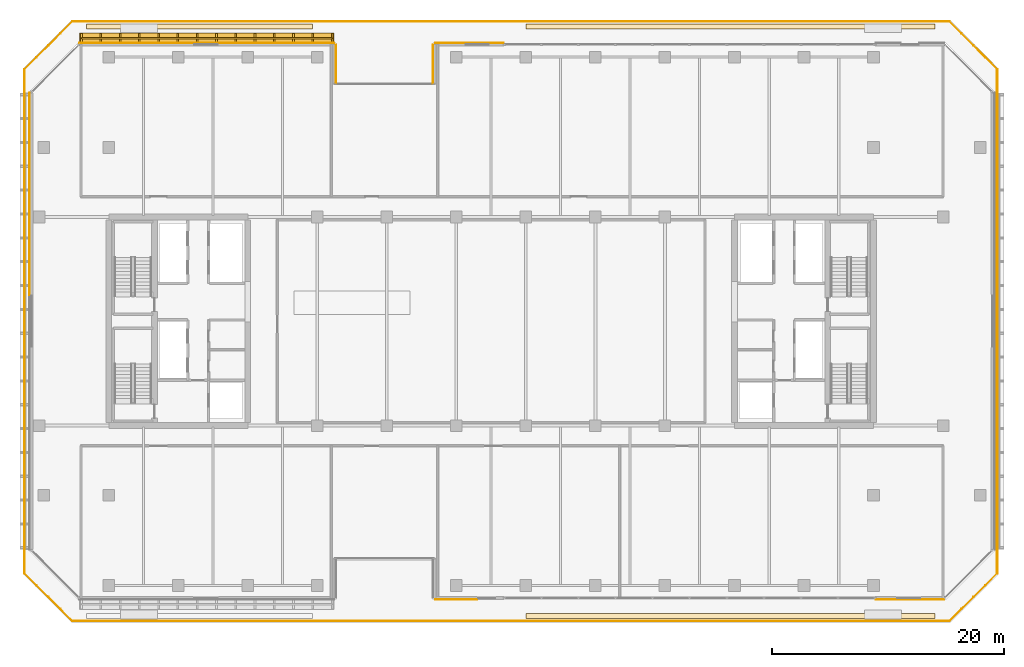
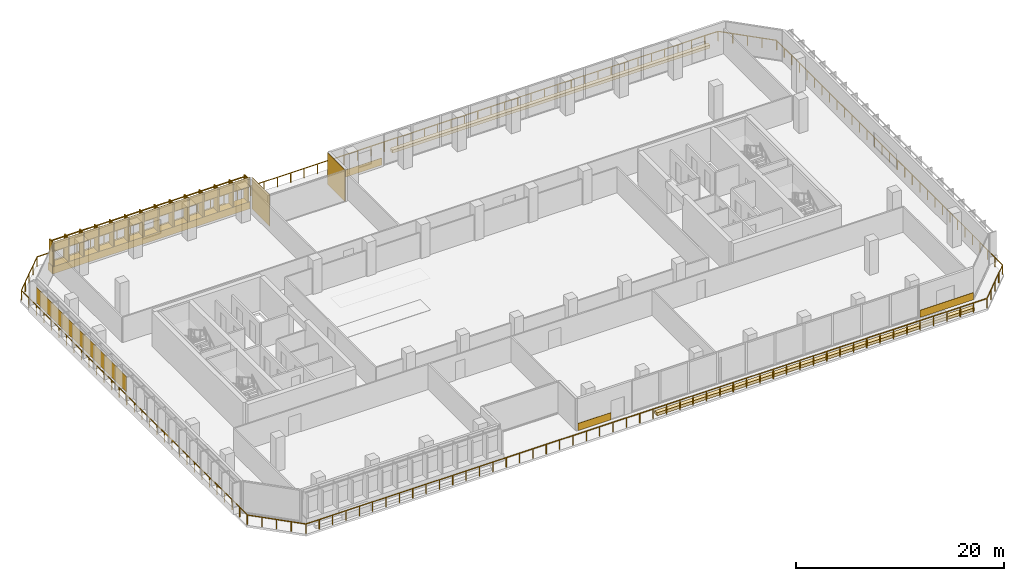
# One storey, part 36 of 38: 11 coverings, 3 railings.
"""IFC4 building model written with IfcOpenShell, lengths in metres."""

from ifc_helpers import new_model, si_unit, direction, frame, origin, origin_2d, place, context, subcontext, project, spatial, polyline, rectangle, outline, extrude, material, layer, layer_set, type_object, element, save


model = new_model("IFC4")

# Units and contexts
model_context = context("Model", 3, precision=1e-05, world=origin(), true_north=direction((0.0, 1.0)))
body_context = subcontext(model_context, "Body", "Model", "MODEL_VIEW")
ifc_project = project(units=[si_unit("LENGTHUNIT", "METRE"), si_unit("AREAUNIT", "SQUARE_METRE"), si_unit("VOLUMEUNIT", "CUBIC_METRE"), si_unit("PLANEANGLEUNIT", "RADIAN"), si_unit("MASSUNIT", "GRAM", prefix="KILO")], contexts=[model_context])

# Site, building, storey
site_placement = place(None, origin())
site = spatial("IfcSite", under=ifc_project, at=site_placement, CompositionType="ELEMENT")
building_placement = place(site_placement, origin())
building = spatial("IfcBuilding", under=site, at=building_placement, Name="Tanjung Sevakor Pilgrim Tower", CompositionType="ELEMENT")
storey_placement = place(building_placement, frame((0.0, 0.0, 78.2099609375)))
storey = spatial("IfcBuildingStorey", under=building, at=storey_placement, Name="L21", CompositionType="ELEMENT", Elevation=78.2099609375)

# Coverings
ifc_material_1 = material(Name="Reconstructed Limestone Cladding", Category="masonry")
ifc_layer_1 = layer(ifc_material_1, 0.044921875)
ifc_layer_set_1 = layer_set([ifc_layer_1], Name="COV-CLAD-LIMESTONE")
covering_type_1 = type_object("IfcCoveringType", Name="COV-CLAD-LIMESTONE", PredefinedType="CLADDING", material=ifc_layer_set_1)
covering_1_placement = place(storey_placement, frame((53.989990234375, 9.577392578125, 0.009765625), z_axis=(0.0, 0.0, 1.0), x_axis=(1.0, 0.0, 0.0)))
element("IfcCovering", 1, at=covering_1_placement, inside=storey, type_object=covering_type_1, Name="L21 Warm Limestone Sill Spandrel EW-SKY-L21-S1-1", PredefinedType="CLADDING", context=body_context, shape_type="SweptSolid", body=[
    extrude(rectangle(XDim=3.64990234375, YDim=0.044921875, at=origin_2d()), origin(), (0.0, 0.0, 1.0), 0.840087890625),
])
for number, where, z_axis, x_axis, name in (
    (2, (93.148193359375, 9.577392578125, 0.009765625), (0.0, 0.0, 1.0), (1.0, 0.0, 0.0), "L21 Warm Limestone Sill Spandrel EW-SKY-L21-S2-1"),
    (3, (55.125, 57.62255859375, 0.009765625), (0.0, 0.0, 1.0), (-1.0, 0.0, 0.0), "L21 Warm Limestone Sill Spandrel EW-SKY-L21-N2-1"),
):
    element("IfcCovering", number, at=place(storey_placement, frame(where, z_axis=z_axis, x_axis=x_axis)), inside=storey, type_object=covering_type_1, Name=name, PredefinedType="CLADDING", context=body_context, shape_type="SweptSolid", body=[
        extrude(rectangle(XDim=5.919921875, YDim=0.044921875, at=origin_2d()), origin(), (0.0, 0.0, 1.0), 0.840087890625),
    ])
for number, where, z_axis, x_axis, name in (
    (4, (51.9775390625, 55.77490234375, 0.02001953125), (0.0, 0.0, 1.0), (0.0, -1.0, 0.0), "L21 Warm Limestone Wall Cladding EW-L21-MAIN-10"),
    (5, (43.62255859375, 55.77490234375, 0.02001953125), (0.0, 0.0, 1.0), (0.0, 1.0, 0.0), "L21 Warm Limestone Wall Cladding EW-L21-MAIN-12"),
):
    element("IfcCovering", number, at=place(storey_placement, frame(where, z_axis=z_axis, x_axis=x_axis)), inside=storey, type_object=covering_type_1, Name=name, PredefinedType="CLADDING", context=body_context, shape_type="SweptSolid", body=[
        extrude(rectangle(XDim=3.360107421875, YDim=0.044921875, at=origin_2d()), origin(), (0.0, 0.0, 1.0), 3.699951171875),
    ])
covering_2_placement = place(storey_placement, frame((32.46337890625, 58.030029296875, 0.009765625), z_axis=(0.0, 0.0, 1.0), x_axis=(-1.0, 0.0, 0.0)))
element("IfcCovering", 6, at=covering_2_placement, inside=storey, type_object=covering_type_1, Name="L21 Warm Limestone Sill Spandrel EW-L21-MAIN-13-1", PredefinedType="CLADDING", context=body_context, shape_type="SweptSolid", body=[
    extrude(rectangle(XDim=21.943115234375, YDim=0.860107421875, at=origin_2d()), origin(), (0.0, 0.0, 1.0), 0.840087890625),
])
covering_3_placement = place(storey_placement, frame((32.46337890625, 57.62255859375, 2.66015625), z_axis=(0.0, 0.0, 1.0), x_axis=(-1.0, 0.0, 0.0)))
element("IfcCovering", 7, at=covering_3_placement, inside=storey, type_object=covering_type_1, Name="L21 Warm Limestone Cornice Spandrel EW-L21-MAIN-13", PredefinedType="CLADDING", context=body_context, shape_type="SweptSolid", body=[
    extrude(rectangle(XDim=21.983154296875, YDim=0.044921875, at=origin_2d()), origin(), (0.0, 0.0, 1.0), 1.070068359375),
])
covering_4_placement = place(storey_placement, frame((17.177490234375, 44.5791015625, 0.85009765625), z_axis=(0.0, 0.0, 1.0), x_axis=(0.0, -1.0, 0.0)))
element("IfcCovering", 8, at=covering_4_placement, inside=storey, type_object=covering_type_1, Name="L21 Warm Limestone Pier Panel EW-L21-MAIN-15-1", PredefinedType="CLADDING", context=body_context, shape_type="SweptSolid", body=[
    extrude(rectangle(XDim=17.458251953125, YDim=0.044921875, at=origin_2d()), origin(), (0.0, 0.0, 1.0), 1.81005859375),
])
ifc_material_2 = material(Name="Vegetated Modular Planter Assembly", Category="organic")
ifc_layer_2 = layer(ifc_material_2, 0.35009765625)
ifc_layer_set_2 = layer_set([ifc_layer_2], Name="COV-GRN-TROUGH")
covering_type_2 = type_object("IfcCoveringType", Name="COV-GRN-TROUGH", PredefinedType="CLADDING", material=ifc_layer_set_2)
covering_5_placement = place(storey_placement, origin())
element("IfcCovering", 9, at=covering_5_placement, inside=storey, type_object=covering_type_2, Name="L21 Planted Landscape Hedge Trough SGRN-L21-SE", PredefinedType="CLADDING", context=body_context, shape_type="SweptSolid", body=[
    extrude(outline(polyline([(60.0, 7.929931640625), (95.300048828125, 7.929931640625), (95.300048828125, 8.3701171875), (60.0, 8.3701171875), (60.0, 7.929931640625)])), origin(), (0.0, 0.0, 1.0), 0.35009765625),
])
covering_6_placement = place(storey_placement, origin())
element("IfcCovering", 10, at=covering_6_placement, inside=storey, type_object=covering_type_2, Name="L21 Planted Landscape Hedge Trough SGRN-L21-NW", PredefinedType="CLADDING", context=body_context, shape_type="SweptSolid", body=[
    extrude(outline(polyline([(22.10009765625, 58.830078125), (41.60009765625, 58.830078125), (41.60009765625, 59.27001953125), (22.10009765625, 59.27001953125), (22.10009765625, 58.830078125)])), origin(), (0.0, 0.0, 1.0), 0.35009765625),
])
covering_7_placement = place(storey_placement, origin())
element("IfcCovering", 11, at=covering_7_placement, inside=storey, type_object=covering_type_2, Name="L21 Planted Landscape Hedge Trough SGRN-L21-NE", PredefinedType="CLADDING", context=body_context, shape_type="SweptSolid", body=[
    extrude(outline(polyline([(60.0, 58.830078125), (95.300048828125, 58.830078125), (95.300048828125, 59.27001953125), (60.0, 59.27001953125), (60.0, 58.830078125)])), origin(), (0.0, 0.0, 1.0), 0.35009765625),
])

# Railings
ifc_material_3 = material(Name="Steel S355J2", Category="steel")
railing_type_1 = type_object("IfcRailingType", Name="RL-EXT-GUARD", PredefinedType="GUARDRAIL", material=ifc_material_3)
railing_1_placement = place(storey_placement, frame((20.849609375, 7.719970703125, 0.0)))
element("IfcRailing", 12, at=railing_1_placement, inside=storey, type_object=railing_type_1, Name="L21 Terrace Perimeter Guardrail GR-SKYTER-L21-1", PredefinedType="GUARDRAIL", context=body_context, shape_type="SweptSolid", body=[
    extrude(rectangle(XDim=0.0479, YDim=0.0479), frame((0.0, 0.0, 1.1259765625), z_axis=(1.0, 0.0, 0.0), x_axis=(0.0, 1.0, 0.0)), (0.0, 0.0, 1.0), 75.70068359375),
    extrude(rectangle(XDim=0.0479, YDim=0.0479), frame((75.70068359375, 0.0, 1.1259765625), z_axis=(0.707106781187, 0.707106781187, 0.0), x_axis=(-0.707106781187, 0.707106781187, 0.0)), (0.0, 0.0, 1.0), 5.840087890625),
    extrude(rectangle(XDim=0.0479, YDim=0.0479), frame((79.830322265625, 4.129638671875, 1.1259765625), z_axis=(0.0, 1.0, 0.0), x_axis=(-1.0, 0.0, 0.0)), (0.0, 0.0, 1.0), 43.500732421875),
    extrude(rectangle(XDim=0.0479, YDim=0.0479), frame((79.830322265625, 47.63037109375, 1.1259765625), z_axis=(-0.707106781187, 0.707106781187, 0.0), x_axis=(-0.707106781187, -0.707106781187, 0.0)), (0.0, 0.0, 1.0), 5.840087890625),
    extrude(rectangle(XDim=0.042, YDim=0.042), origin(), (0.0, 0.0, 1.0), 1.101806640625),
    extrude(rectangle(XDim=0.042, YDim=0.042), frame((1.484375, 0.0, 0.0)), (0.0, 0.0, 1.0), 1.101806640625),
    extrude(rectangle(XDim=0.042, YDim=0.042), frame((2.96875, 0.0, 0.0)), (0.0, 0.0, 1.0), 1.101806640625),
    extrude(rectangle(XDim=0.042, YDim=0.042), frame((4.452880859375, 0.0, 0.0)), (0.0, 0.0, 1.0), 1.101806640625),
    extrude(rectangle(XDim=0.042, YDim=0.042), frame((5.937255859375, 0.0, 0.0)), (0.0, 0.0, 1.0), 1.101806640625),
    extrude(rectangle(XDim=0.042, YDim=0.042), frame((7.421630859375, 0.0, 0.0)), (0.0, 0.0, 1.0), 1.101806640625),
    extrude(rectangle(XDim=0.042, YDim=0.042), frame((8.906005859375, 0.0, 0.0)), (0.0, 0.0, 1.0), 1.101806640625),
    extrude(rectangle(XDim=0.042, YDim=0.042), frame((10.390380859375, 0.0, 0.0)), (0.0, 0.0, 1.0), 1.101806640625),
    extrude(rectangle(XDim=0.042, YDim=0.042), frame((11.87451171875, 0.0, 0.0)), (0.0, 0.0, 1.0), 1.101806640625),
    extrude(rectangle(XDim=0.042, YDim=0.042), frame((13.35888671875, 0.0, 0.0)), (0.0, 0.0, 1.0), 1.101806640625),
    extrude(rectangle(XDim=0.042, YDim=0.042), frame((14.84326171875, 0.0, 0.0)), (0.0, 0.0, 1.0), 1.101806640625),
    extrude(rectangle(XDim=0.042, YDim=0.042), frame((16.32763671875, 0.0, 0.0)), (0.0, 0.0, 1.0), 1.101806640625),
    extrude(rectangle(XDim=0.042, YDim=0.042), frame((17.81201171875, 0.0, 0.0)), (0.0, 0.0, 1.0), 1.101806640625),
    extrude(rectangle(XDim=0.042, YDim=0.042), frame((19.296142578125, 0.0, 0.0)), (0.0, 0.0, 1.0), 1.101806640625),
    extrude(rectangle(XDim=0.042, YDim=0.042), frame((20.780517578125, 0.0, 0.0)), (0.0, 0.0, 1.0), 1.101806640625),
    extrude(rectangle(XDim=0.042, YDim=0.042), frame((22.264892578125, 0.0, 0.0)), (0.0, 0.0, 1.0), 1.101806640625),
    extrude(rectangle(XDim=0.042, YDim=0.042), frame((23.749267578125, 0.0, 0.0)), (0.0, 0.0, 1.0), 1.101806640625),
    extrude(rectangle(XDim=0.042, YDim=0.042), frame((25.233642578125, 0.0, 0.0)), (0.0, 0.0, 1.0), 1.101806640625),
    extrude(rectangle(XDim=0.042, YDim=0.042), frame((26.7177734375, 0.0, 0.0)), (0.0, 0.0, 1.0), 1.101806640625),
    extrude(rectangle(XDim=0.042, YDim=0.042), frame((28.2021484375, 0.0, 0.0)), (0.0, 0.0, 1.0), 1.101806640625),
    extrude(rectangle(XDim=0.042, YDim=0.042), frame((29.6865234375, 0.0, 0.0)), (0.0, 0.0, 1.0), 1.101806640625),
    extrude(rectangle(XDim=0.042, YDim=0.042), frame((31.1708984375, 0.0, 0.0)), (0.0, 0.0, 1.0), 1.101806640625),
    extrude(rectangle(XDim=0.042, YDim=0.042), frame((32.6552734375, 0.0, 0.0)), (0.0, 0.0, 1.0), 1.101806640625),
    extrude(rectangle(XDim=0.042, YDim=0.042), frame((34.139404296875, 0.0, 0.0)), (0.0, 0.0, 1.0), 1.101806640625),
    extrude(rectangle(XDim=0.042, YDim=0.042), frame((35.623779296875, 0.0, 0.0)), (0.0, 0.0, 1.0), 1.101806640625),
    extrude(rectangle(XDim=0.042, YDim=0.042), frame((37.108154296875, 0.0, 0.0)), (0.0, 0.0, 1.0), 1.101806640625),
    extrude(rectangle(XDim=0.042, YDim=0.042), frame((38.592529296875, 0.0, 0.0)), (0.0, 0.0, 1.0), 1.101806640625),
    extrude(rectangle(XDim=0.042, YDim=0.042), frame((40.076904296875, 0.0, 0.0)), (0.0, 0.0, 1.0), 1.101806640625),
    extrude(rectangle(XDim=0.042, YDim=0.042), frame((41.561279296875, 0.0, 0.0)), (0.0, 0.0, 1.0), 1.101806640625),
    extrude(rectangle(XDim=0.042, YDim=0.042), frame((43.04541015625, 0.0, 0.0)), (0.0, 0.0, 1.0), 1.101806640625),
    extrude(rectangle(XDim=0.042, YDim=0.042), frame((44.52978515625, 0.0, 0.0)), (0.0, 0.0, 1.0), 1.101806640625),
    extrude(rectangle(XDim=0.042, YDim=0.042), frame((46.01416015625, 0.0, 0.0)), (0.0, 0.0, 1.0), 1.101806640625),
    extrude(rectangle(XDim=0.042, YDim=0.042), frame((47.49853515625, 0.0, 0.0)), (0.0, 0.0, 1.0), 1.101806640625),
    extrude(rectangle(XDim=0.042, YDim=0.042), frame((48.98291015625, 0.0, 0.0)), (0.0, 0.0, 1.0), 1.101806640625),
    extrude(rectangle(XDim=0.042, YDim=0.042), frame((50.467041015625, 0.0, 0.0)), (0.0, 0.0, 1.0), 1.101806640625),
    extrude(rectangle(XDim=0.042, YDim=0.042), frame((51.951416015625, 0.0, 0.0)), (0.0, 0.0, 1.0), 1.101806640625),
    extrude(rectangle(XDim=0.042, YDim=0.042), frame((53.435791015625, 0.0, 0.0)), (0.0, 0.0, 1.0), 1.101806640625),
    extrude(rectangle(XDim=0.042, YDim=0.042), frame((54.920166015625, 0.0, 0.0)), (0.0, 0.0, 1.0), 1.101806640625),
    extrude(rectangle(XDim=0.042, YDim=0.042), frame((56.404541015625, 0.0, 0.0)), (0.0, 0.0, 1.0), 1.101806640625),
    extrude(rectangle(XDim=0.042, YDim=0.042), frame((57.888671875, 0.0, 0.0)), (0.0, 0.0, 1.0), 1.101806640625),
    extrude(rectangle(XDim=0.042, YDim=0.042), frame((59.373046875, 0.0, 0.0)), (0.0, 0.0, 1.0), 1.101806640625),
    extrude(rectangle(XDim=0.042, YDim=0.042), frame((60.857421875, 0.0, 0.0)), (0.0, 0.0, 1.0), 1.101806640625),
    extrude(rectangle(XDim=0.042, YDim=0.042), frame((62.341796875, 0.0, 0.0)), (0.0, 0.0, 1.0), 1.101806640625),
    extrude(rectangle(XDim=0.042, YDim=0.042), frame((63.826171875, 0.0, 0.0)), (0.0, 0.0, 1.0), 1.101806640625),
    extrude(rectangle(XDim=0.042, YDim=0.042), frame((65.310302734375, 0.0, 0.0)), (0.0, 0.0, 1.0), 1.101806640625),
    extrude(rectangle(XDim=0.042, YDim=0.042), frame((66.794677734375, 0.0, 0.0)), (0.0, 0.0, 1.0), 1.101806640625),
    extrude(rectangle(XDim=0.042, YDim=0.042), frame((68.279052734375, 0.0, 0.0)), (0.0, 0.0, 1.0), 1.101806640625),
    extrude(rectangle(XDim=0.042, YDim=0.042), frame((69.763427734375, 0.0, 0.0)), (0.0, 0.0, 1.0), 1.101806640625),
    extrude(rectangle(XDim=0.042, YDim=0.042), frame((71.247802734375, 0.0, 0.0)), (0.0, 0.0, 1.0), 1.101806640625),
    extrude(rectangle(XDim=0.042, YDim=0.042), frame((72.73193359375, 0.0, 0.0)), (0.0, 0.0, 1.0), 1.101806640625),
    extrude(rectangle(XDim=0.042, YDim=0.042), frame((74.21630859375, 0.0, 0.0)), (0.0, 0.0, 1.0), 1.101806640625),
    extrude(rectangle(XDim=0.042, YDim=0.042), frame((75.70068359375, 0.0, 0.0)), (0.0, 0.0, 1.0), 1.101806640625),
    extrude(rectangle(XDim=0.042, YDim=0.042), frame((76.733154296875, 1.032470703125, 0.0)), (0.0, 0.0, 1.0), 1.101806640625),
    extrude(rectangle(XDim=0.042, YDim=0.042), frame((77.765625, 2.06494140625, 0.0)), (0.0, 0.0, 1.0), 1.101806640625),
    extrude(rectangle(XDim=0.042, YDim=0.042), frame((78.7978515625, 3.09716796875, 0.0)), (0.0, 0.0, 1.0), 1.101806640625),
    extrude(rectangle(XDim=0.042, YDim=0.042), frame((79.830322265625, 4.129638671875, 0.0)), (0.0, 0.0, 1.0), 1.101806640625),
    extrude(rectangle(XDim=0.042, YDim=0.042), frame((79.830322265625, 5.57958984375, 0.0)), (0.0, 0.0, 1.0), 1.101806640625),
    extrude(rectangle(XDim=0.042, YDim=0.042), frame((79.830322265625, 7.02978515625, 0.0)), (0.0, 0.0, 1.0), 1.101806640625),
    extrude(rectangle(XDim=0.042, YDim=0.042), frame((79.830322265625, 8.479736328125, 0.0)), (0.0, 0.0, 1.0), 1.101806640625),
    extrude(rectangle(XDim=0.042, YDim=0.042), frame((79.830322265625, 9.9296875, 0.0)), (0.0, 0.0, 1.0), 1.101806640625),
    extrude(rectangle(XDim=0.042, YDim=0.042), frame((79.830322265625, 11.3798828125, 0.0)), (0.0, 0.0, 1.0), 1.101806640625),
    extrude(rectangle(XDim=0.042, YDim=0.042), frame((79.830322265625, 12.829833984375, 0.0)), (0.0, 0.0, 1.0), 1.101806640625),
    extrude(rectangle(XDim=0.042, YDim=0.042), frame((79.830322265625, 14.27978515625, 0.0)), (0.0, 0.0, 1.0), 1.101806640625),
    extrude(rectangle(XDim=0.042, YDim=0.042), frame((79.830322265625, 15.729736328125, 0.0)), (0.0, 0.0, 1.0), 1.101806640625),
    extrude(rectangle(XDim=0.042, YDim=0.042), frame((79.830322265625, 17.179931640625, 0.0)), (0.0, 0.0, 1.0), 1.101806640625),
    extrude(rectangle(XDim=0.042, YDim=0.042), frame((79.830322265625, 18.6298828125, 0.0)), (0.0, 0.0, 1.0), 1.101806640625),
    extrude(rectangle(XDim=0.042, YDim=0.042), frame((79.830322265625, 20.079833984375, 0.0)), (0.0, 0.0, 1.0), 1.101806640625),
    extrude(rectangle(XDim=0.042, YDim=0.042), frame((79.830322265625, 21.530029296875, 0.0)), (0.0, 0.0, 1.0), 1.101806640625),
    extrude(rectangle(XDim=0.042, YDim=0.042), frame((79.830322265625, 22.97998046875, 0.0)), (0.0, 0.0, 1.0), 1.101806640625),
    extrude(rectangle(XDim=0.042, YDim=0.042), frame((79.830322265625, 24.429931640625, 0.0)), (0.0, 0.0, 1.0), 1.101806640625),
    extrude(rectangle(XDim=0.042, YDim=0.042), frame((79.830322265625, 25.8798828125, 0.0)), (0.0, 0.0, 1.0), 1.101806640625),
    extrude(rectangle(XDim=0.042, YDim=0.042), frame((79.830322265625, 27.330078125, 0.0)), (0.0, 0.0, 1.0), 1.101806640625),
    extrude(rectangle(XDim=0.042, YDim=0.042), frame((79.830322265625, 28.780029296875, 0.0)), (0.0, 0.0, 1.0), 1.101806640625),
    extrude(rectangle(XDim=0.042, YDim=0.042), frame((79.830322265625, 30.22998046875, 0.0)), (0.0, 0.0, 1.0), 1.101806640625),
    extrude(rectangle(XDim=0.042, YDim=0.042), frame((79.830322265625, 31.68017578125, 0.0)), (0.0, 0.0, 1.0), 1.101806640625),
    extrude(rectangle(XDim=0.042, YDim=0.042), frame((79.830322265625, 33.130126953125, 0.0)), (0.0, 0.0, 1.0), 1.101806640625),
    extrude(rectangle(XDim=0.042, YDim=0.042), frame((79.830322265625, 34.580078125, 0.0)), (0.0, 0.0, 1.0), 1.101806640625),
    extrude(rectangle(XDim=0.042, YDim=0.042), frame((79.830322265625, 36.0302734375, 0.0)), (0.0, 0.0, 1.0), 1.101806640625),
    extrude(rectangle(XDim=0.042, YDim=0.042), frame((79.830322265625, 37.480224609375, 0.0)), (0.0, 0.0, 1.0), 1.101806640625),
    extrude(rectangle(XDim=0.042, YDim=0.042), frame((79.830322265625, 38.93017578125, 0.0)), (0.0, 0.0, 1.0), 1.101806640625),
    extrude(rectangle(XDim=0.042, YDim=0.042), frame((79.830322265625, 40.38037109375, 0.0)), (0.0, 0.0, 1.0), 1.101806640625),
    extrude(rectangle(XDim=0.042, YDim=0.042), frame((79.830322265625, 41.830322265625, 0.0)), (0.0, 0.0, 1.0), 1.101806640625),
    extrude(rectangle(XDim=0.042, YDim=0.042), frame((79.830322265625, 43.2802734375, 0.0)), (0.0, 0.0, 1.0), 1.101806640625),
    extrude(rectangle(XDim=0.042, YDim=0.042), frame((79.830322265625, 44.730224609375, 0.0)), (0.0, 0.0, 1.0), 1.101806640625),
    extrude(rectangle(XDim=0.042, YDim=0.042), frame((79.830322265625, 46.180419921875, 0.0)), (0.0, 0.0, 1.0), 1.101806640625),
    extrude(rectangle(XDim=0.042, YDim=0.042), frame((79.830322265625, 47.63037109375, 0.0)), (0.0, 0.0, 1.0), 1.101806640625),
    extrude(rectangle(XDim=0.042, YDim=0.042), frame((78.7978515625, 48.662841796875, 0.0)), (0.0, 0.0, 1.0), 1.101806640625),
    extrude(rectangle(XDim=0.042, YDim=0.042), frame((77.765625, 49.6953125, 0.0)), (0.0, 0.0, 1.0), 1.101806640625),
    extrude(rectangle(XDim=0.042, YDim=0.042), frame((76.733154296875, 50.7275390625, 0.0)), (0.0, 0.0, 1.0), 1.101806640625),
    extrude(rectangle(XDim=0.042, YDim=0.042), frame((75.70068359375, 51.760009765625, 0.0)), (0.0, 0.0, 1.0), 1.101806640625),
])
railing_2_placement = place(storey_placement, frame((96.55029296875, 59.47998046875, 0.0)))
element("IfcRailing", 13, at=railing_2_placement, inside=storey, type_object=railing_type_1, Name="L21 Terrace Perimeter Guardrail GR-SKYTER-L21-2", PredefinedType="GUARDRAIL", context=body_context, shape_type="SweptSolid", body=[
    extrude(rectangle(XDim=0.0479, YDim=0.0479), frame((0.0, 0.0, 1.1259765625), z_axis=(-1.0, 0.0, 0.0), x_axis=(0.0, -1.0, 0.0)), (0.0, 0.0, 1.0), 75.70068359375),
    extrude(rectangle(XDim=0.0479, YDim=0.0479), frame((-75.70068359375, 0.0, 1.1259765625), z_axis=(-0.707106781187, -0.707106781187, 0.0), x_axis=(0.707106781187, -0.707106781187, 0.0)), (0.0, 0.0, 1.0), 5.840087890625),
    extrude(rectangle(XDim=0.0479, YDim=0.0479), frame((-79.830322265625, -4.129638671875, 1.1259765625), z_axis=(0.0, -1.0, 0.0), x_axis=(1.0, 0.0, 0.0)), (0.0, 0.0, 1.0), 43.500732421875),
    extrude(rectangle(XDim=0.0479, YDim=0.0479), frame((-79.830322265625, -47.63037109375, 1.1259765625), z_axis=(0.707106781187, -0.707106781187, 0.0), x_axis=(0.707106781187, 0.707106781187, 0.0)), (0.0, 0.0, 1.0), 5.840087890625),
    extrude(rectangle(XDim=0.042, YDim=0.042), origin(), (0.0, 0.0, 1.0), 1.101806640625),
    extrude(rectangle(XDim=0.042, YDim=0.042), frame((-1.484375, 0.0, 0.0)), (0.0, 0.0, 1.0), 1.101806640625),
    extrude(rectangle(XDim=0.042, YDim=0.042), frame((-2.96875, 0.0, 0.0)), (0.0, 0.0, 1.0), 1.101806640625),
    extrude(rectangle(XDim=0.042, YDim=0.042), frame((-4.452880859375, 0.0, 0.0)), (0.0, 0.0, 1.0), 1.101806640625),
    extrude(rectangle(XDim=0.042, YDim=0.042), frame((-5.937255859375, 0.0, 0.0)), (0.0, 0.0, 1.0), 1.101806640625),
    extrude(rectangle(XDim=0.042, YDim=0.042), frame((-7.421630859375, 0.0, 0.0)), (0.0, 0.0, 1.0), 1.101806640625),
    extrude(rectangle(XDim=0.042, YDim=0.042), frame((-8.906005859375, 0.0, 0.0)), (0.0, 0.0, 1.0), 1.101806640625),
    extrude(rectangle(XDim=0.042, YDim=0.042), frame((-10.390380859375, 0.0, 0.0)), (0.0, 0.0, 1.0), 1.101806640625),
    extrude(rectangle(XDim=0.042, YDim=0.042), frame((-11.87451171875, 0.0, 0.0)), (0.0, 0.0, 1.0), 1.101806640625),
    extrude(rectangle(XDim=0.042, YDim=0.042), frame((-13.35888671875, 0.0, 0.0)), (0.0, 0.0, 1.0), 1.101806640625),
    extrude(rectangle(XDim=0.042, YDim=0.042), frame((-14.84326171875, 0.0, 0.0)), (0.0, 0.0, 1.0), 1.101806640625),
    extrude(rectangle(XDim=0.042, YDim=0.042), frame((-16.32763671875, 0.0, 0.0)), (0.0, 0.0, 1.0), 1.101806640625),
    extrude(rectangle(XDim=0.042, YDim=0.042), frame((-17.81201171875, 0.0, 0.0)), (0.0, 0.0, 1.0), 1.101806640625),
    extrude(rectangle(XDim=0.042, YDim=0.042), frame((-19.296142578125, 0.0, 0.0)), (0.0, 0.0, 1.0), 1.101806640625),
    extrude(rectangle(XDim=0.042, YDim=0.042), frame((-20.780517578125, 0.0, 0.0)), (0.0, 0.0, 1.0), 1.101806640625),
    extrude(rectangle(XDim=0.042, YDim=0.042), frame((-22.264892578125, 0.0, 0.0)), (0.0, 0.0, 1.0), 1.101806640625),
    extrude(rectangle(XDim=0.042, YDim=0.042), frame((-23.749267578125, 0.0, 0.0)), (0.0, 0.0, 1.0), 1.101806640625),
    extrude(rectangle(XDim=0.042, YDim=0.042), frame((-25.233642578125, 0.0, 0.0)), (0.0, 0.0, 1.0), 1.101806640625),
    extrude(rectangle(XDim=0.042, YDim=0.042), frame((-26.7177734375, 0.0, 0.0)), (0.0, 0.0, 1.0), 1.101806640625),
    extrude(rectangle(XDim=0.042, YDim=0.042), frame((-28.2021484375, 0.0, 0.0)), (0.0, 0.0, 1.0), 1.101806640625),
    extrude(rectangle(XDim=0.042, YDim=0.042), frame((-29.6865234375, 0.0, 0.0)), (0.0, 0.0, 1.0), 1.101806640625),
    extrude(rectangle(XDim=0.042, YDim=0.042), frame((-31.1708984375, 0.0, 0.0)), (0.0, 0.0, 1.0), 1.101806640625),
    extrude(rectangle(XDim=0.042, YDim=0.042), frame((-32.6552734375, 0.0, 0.0)), (0.0, 0.0, 1.0), 1.101806640625),
    extrude(rectangle(XDim=0.042, YDim=0.042), frame((-34.139404296875, 0.0, 0.0)), (0.0, 0.0, 1.0), 1.101806640625),
    extrude(rectangle(XDim=0.042, YDim=0.042), frame((-35.623779296875, 0.0, 0.0)), (0.0, 0.0, 1.0), 1.101806640625),
    extrude(rectangle(XDim=0.042, YDim=0.042), frame((-37.108154296875, 0.0, 0.0)), (0.0, 0.0, 1.0), 1.101806640625),
    extrude(rectangle(XDim=0.042, YDim=0.042), frame((-38.592529296875, 0.0, 0.0)), (0.0, 0.0, 1.0), 1.101806640625),
    extrude(rectangle(XDim=0.042, YDim=0.042), frame((-40.076904296875, 0.0, 0.0)), (0.0, 0.0, 1.0), 1.101806640625),
    extrude(rectangle(XDim=0.042, YDim=0.042), frame((-41.561279296875, 0.0, 0.0)), (0.0, 0.0, 1.0), 1.101806640625),
    extrude(rectangle(XDim=0.042, YDim=0.042), frame((-43.04541015625, 0.0, 0.0)), (0.0, 0.0, 1.0), 1.101806640625),
    extrude(rectangle(XDim=0.042, YDim=0.042), frame((-44.52978515625, 0.0, 0.0)), (0.0, 0.0, 1.0), 1.101806640625),
    extrude(rectangle(XDim=0.042, YDim=0.042), frame((-46.01416015625, 0.0, 0.0)), (0.0, 0.0, 1.0), 1.101806640625),
    extrude(rectangle(XDim=0.042, YDim=0.042), frame((-47.49853515625, 0.0, 0.0)), (0.0, 0.0, 1.0), 1.101806640625),
    extrude(rectangle(XDim=0.042, YDim=0.042), frame((-48.98291015625, 0.0, 0.0)), (0.0, 0.0, 1.0), 1.101806640625),
    extrude(rectangle(XDim=0.042, YDim=0.042), frame((-50.467041015625, 0.0, 0.0)), (0.0, 0.0, 1.0), 1.101806640625),
    extrude(rectangle(XDim=0.042, YDim=0.042), frame((-51.951416015625, 0.0, 0.0)), (0.0, 0.0, 1.0), 1.101806640625),
    extrude(rectangle(XDim=0.042, YDim=0.042), frame((-53.435791015625, 0.0, 0.0)), (0.0, 0.0, 1.0), 1.101806640625),
    extrude(rectangle(XDim=0.042, YDim=0.042), frame((-54.920166015625, 0.0, 0.0)), (0.0, 0.0, 1.0), 1.101806640625),
    extrude(rectangle(XDim=0.042, YDim=0.042), frame((-56.404541015625, 0.0, 0.0)), (0.0, 0.0, 1.0), 1.101806640625),
    extrude(rectangle(XDim=0.042, YDim=0.042), frame((-57.888671875, 0.0, 0.0)), (0.0, 0.0, 1.0), 1.101806640625),
    extrude(rectangle(XDim=0.042, YDim=0.042), frame((-59.373046875, 0.0, 0.0)), (0.0, 0.0, 1.0), 1.101806640625),
    extrude(rectangle(XDim=0.042, YDim=0.042), frame((-60.857421875, 0.0, 0.0)), (0.0, 0.0, 1.0), 1.101806640625),
    extrude(rectangle(XDim=0.042, YDim=0.042), frame((-62.341796875, 0.0, 0.0)), (0.0, 0.0, 1.0), 1.101806640625),
    extrude(rectangle(XDim=0.042, YDim=0.042), frame((-63.826171875, 0.0, 0.0)), (0.0, 0.0, 1.0), 1.101806640625),
    extrude(rectangle(XDim=0.042, YDim=0.042), frame((-65.310302734375, 0.0, 0.0)), (0.0, 0.0, 1.0), 1.101806640625),
    extrude(rectangle(XDim=0.042, YDim=0.042), frame((-66.794677734375, 0.0, 0.0)), (0.0, 0.0, 1.0), 1.101806640625),
    extrude(rectangle(XDim=0.042, YDim=0.042), frame((-68.279052734375, 0.0, 0.0)), (0.0, 0.0, 1.0), 1.101806640625),
    extrude(rectangle(XDim=0.042, YDim=0.042), frame((-69.763427734375, 0.0, 0.0)), (0.0, 0.0, 1.0), 1.101806640625),
    extrude(rectangle(XDim=0.042, YDim=0.042), frame((-71.247802734375, 0.0, 0.0)), (0.0, 0.0, 1.0), 1.101806640625),
    extrude(rectangle(XDim=0.042, YDim=0.042), frame((-72.73193359375, 0.0, 0.0)), (0.0, 0.0, 1.0), 1.101806640625),
    extrude(rectangle(XDim=0.042, YDim=0.042), frame((-74.21630859375, 0.0, 0.0)), (0.0, 0.0, 1.0), 1.101806640625),
    extrude(rectangle(XDim=0.042, YDim=0.042), frame((-75.70068359375, 0.0, 0.0)), (0.0, 0.0, 1.0), 1.101806640625),
    extrude(rectangle(XDim=0.042, YDim=0.042), frame((-76.733154296875, -1.032470703125, 0.0)), (0.0, 0.0, 1.0), 1.101806640625),
    extrude(rectangle(XDim=0.042, YDim=0.042), frame((-77.765625, -2.06494140625, 0.0)), (0.0, 0.0, 1.0), 1.101806640625),
    extrude(rectangle(XDim=0.042, YDim=0.042), frame((-78.7978515625, -3.09716796875, 0.0)), (0.0, 0.0, 1.0), 1.101806640625),
    extrude(rectangle(XDim=0.042, YDim=0.042), frame((-79.830322265625, -4.129638671875, 0.0)), (0.0, 0.0, 1.0), 1.101806640625),
    extrude(rectangle(XDim=0.042, YDim=0.042), frame((-79.830322265625, -5.57958984375, 0.0)), (0.0, 0.0, 1.0), 1.101806640625),
    extrude(rectangle(XDim=0.042, YDim=0.042), frame((-79.830322265625, -7.02978515625, 0.0)), (0.0, 0.0, 1.0), 1.101806640625),
    extrude(rectangle(XDim=0.042, YDim=0.042), frame((-79.830322265625, -8.479736328125, 0.0)), (0.0, 0.0, 1.0), 1.101806640625),
    extrude(rectangle(XDim=0.042, YDim=0.042), frame((-79.830322265625, -9.9296875, 0.0)), (0.0, 0.0, 1.0), 1.101806640625),
    extrude(rectangle(XDim=0.042, YDim=0.042), frame((-79.830322265625, -11.3798828125, 0.0)), (0.0, 0.0, 1.0), 1.101806640625),
    extrude(rectangle(XDim=0.042, YDim=0.042), frame((-79.830322265625, -12.829833984375, 0.0)), (0.0, 0.0, 1.0), 1.101806640625),
    extrude(rectangle(XDim=0.042, YDim=0.042), frame((-79.830322265625, -14.27978515625, 0.0)), (0.0, 0.0, 1.0), 1.101806640625),
    extrude(rectangle(XDim=0.042, YDim=0.042), frame((-79.830322265625, -15.729736328125, 0.0)), (0.0, 0.0, 1.0), 1.101806640625),
    extrude(rectangle(XDim=0.042, YDim=0.042), frame((-79.830322265625, -17.179931640625, 0.0)), (0.0, 0.0, 1.0), 1.101806640625),
    extrude(rectangle(XDim=0.042, YDim=0.042), frame((-79.830322265625, -18.6298828125, 0.0)), (0.0, 0.0, 1.0), 1.101806640625),
    extrude(rectangle(XDim=0.042, YDim=0.042), frame((-79.830322265625, -20.079833984375, 0.0)), (0.0, 0.0, 1.0), 1.101806640625),
    extrude(rectangle(XDim=0.042, YDim=0.042), frame((-79.830322265625, -21.530029296875, 0.0)), (0.0, 0.0, 1.0), 1.101806640625),
    extrude(rectangle(XDim=0.042, YDim=0.042), frame((-79.830322265625, -22.97998046875, 0.0)), (0.0, 0.0, 1.0), 1.101806640625),
    extrude(rectangle(XDim=0.042, YDim=0.042), frame((-79.830322265625, -24.429931640625, 0.0)), (0.0, 0.0, 1.0), 1.101806640625),
    extrude(rectangle(XDim=0.042, YDim=0.042), frame((-79.830322265625, -25.8798828125, 0.0)), (0.0, 0.0, 1.0), 1.101806640625),
    extrude(rectangle(XDim=0.042, YDim=0.042), frame((-79.830322265625, -27.330078125, 0.0)), (0.0, 0.0, 1.0), 1.101806640625),
    extrude(rectangle(XDim=0.042, YDim=0.042), frame((-79.830322265625, -28.780029296875, 0.0)), (0.0, 0.0, 1.0), 1.101806640625),
    extrude(rectangle(XDim=0.042, YDim=0.042), frame((-79.830322265625, -30.22998046875, 0.0)), (0.0, 0.0, 1.0), 1.101806640625),
    extrude(rectangle(XDim=0.042, YDim=0.042), frame((-79.830322265625, -31.68017578125, 0.0)), (0.0, 0.0, 1.0), 1.101806640625),
    extrude(rectangle(XDim=0.042, YDim=0.042), frame((-79.830322265625, -33.130126953125, 0.0)), (0.0, 0.0, 1.0), 1.101806640625),
    extrude(rectangle(XDim=0.042, YDim=0.042), frame((-79.830322265625, -34.580078125, 0.0)), (0.0, 0.0, 1.0), 1.101806640625),
    extrude(rectangle(XDim=0.042, YDim=0.042), frame((-79.830322265625, -36.0302734375, 0.0)), (0.0, 0.0, 1.0), 1.101806640625),
    extrude(rectangle(XDim=0.042, YDim=0.042), frame((-79.830322265625, -37.480224609375, 0.0)), (0.0, 0.0, 1.0), 1.101806640625),
    extrude(rectangle(XDim=0.042, YDim=0.042), frame((-79.830322265625, -38.93017578125, 0.0)), (0.0, 0.0, 1.0), 1.101806640625),
    extrude(rectangle(XDim=0.042, YDim=0.042), frame((-79.830322265625, -40.38037109375, 0.0)), (0.0, 0.0, 1.0), 1.101806640625),
    extrude(rectangle(XDim=0.042, YDim=0.042), frame((-79.830322265625, -41.830322265625, 0.0)), (0.0, 0.0, 1.0), 1.101806640625),
    extrude(rectangle(XDim=0.042, YDim=0.042), frame((-79.830322265625, -43.2802734375, 0.0)), (0.0, 0.0, 1.0), 1.101806640625),
    extrude(rectangle(XDim=0.042, YDim=0.042), frame((-79.830322265625, -44.730224609375, 0.0)), (0.0, 0.0, 1.0), 1.101806640625),
    extrude(rectangle(XDim=0.042, YDim=0.042), frame((-79.830322265625, -46.180419921875, 0.0)), (0.0, 0.0, 1.0), 1.101806640625),
    extrude(rectangle(XDim=0.042, YDim=0.042), frame((-79.830322265625, -47.63037109375, 0.0)), (0.0, 0.0, 1.0), 1.101806640625),
    extrude(rectangle(XDim=0.042, YDim=0.042), frame((-78.7978515625, -48.662841796875, 0.0)), (0.0, 0.0, 1.0), 1.101806640625),
    extrude(rectangle(XDim=0.042, YDim=0.042), frame((-77.765625, -49.6953125, 0.0)), (0.0, 0.0, 1.0), 1.101806640625),
    extrude(rectangle(XDim=0.042, YDim=0.042), frame((-76.733154296875, -50.7275390625, 0.0)), (0.0, 0.0, 1.0), 1.101806640625),
    extrude(rectangle(XDim=0.042, YDim=0.042), frame((-75.70068359375, -51.760009765625, 0.0)), (0.0, 0.0, 1.0), 1.101806640625),
])
ifc_material_4 = material(Name="Anodised Bronze Aluminium 6063-T6", Category="aluminium")
railing_type_2 = type_object("IfcRailingType", Name="RL-FIN-SCREEN", PredefinedType="BALUSTRADE", material=ifc_material_4)
railing_3_placement = place(storey_placement, frame((43.27490234375, 58.02490234375, 0.840087890625)))
element("IfcRailing", 14, at=railing_3_placement, inside=storey, type_object=railing_type_2, Name="L21 Vertical Bronze-Gold Solar Fin Screen FNSCR-EW-L21-MAIN-13-1", PredefinedType="BALUSTRADE", context=body_context, shape_type="SweptSolid", body=[
    extrude(rectangle(XDim=0.105, YDim=0.105), frame((0.0, 0.0, 2.817626953125), z_axis=(-1.0, 0.0, 0.0), x_axis=(0.0, -1.0, 0.0)), (0.0, 0.0, 1.0), 21.623046875),
    extrude(rectangle(XDim=0.14, YDim=0.85), origin(), (0.0, 0.0, 1.0), 2.76513671875),
    extrude(rectangle(XDim=0.14, YDim=0.85), frame((-1.663330078125, 0.0, 0.0)), (0.0, 0.0, 1.0), 2.76513671875),
    extrude(rectangle(XDim=0.14, YDim=0.85), frame((-3.32666015625, 0.0, 0.0)), (0.0, 0.0, 1.0), 2.76513671875),
    extrude(rectangle(XDim=0.14, YDim=0.85), frame((-4.989990234375, 0.0, 0.0)), (0.0, 0.0, 1.0), 2.76513671875),
    extrude(rectangle(XDim=0.14, YDim=0.85), frame((-6.6533203125, 0.0, 0.0)), (0.0, 0.0, 1.0), 2.76513671875),
    extrude(rectangle(XDim=0.14, YDim=0.85), frame((-8.316650390625, 0.0, 0.0)), (0.0, 0.0, 1.0), 2.76513671875),
    extrude(rectangle(XDim=0.14, YDim=0.85), frame((-9.97998046875, 0.0, 0.0)), (0.0, 0.0, 1.0), 2.76513671875),
    extrude(rectangle(XDim=0.14, YDim=0.85), frame((-11.64306640625, 0.0, 0.0)), (0.0, 0.0, 1.0), 2.76513671875),
    extrude(rectangle(XDim=0.14, YDim=0.85), frame((-13.306396484375, 0.0, 0.0)), (0.0, 0.0, 1.0), 2.76513671875),
    extrude(rectangle(XDim=0.14, YDim=0.85), frame((-14.9697265625, 0.0, 0.0)), (0.0, 0.0, 1.0), 2.76513671875),
    extrude(rectangle(XDim=0.14, YDim=0.85), frame((-16.633056640625, 0.0, 0.0)), (0.0, 0.0, 1.0), 2.76513671875),
    extrude(rectangle(XDim=0.14, YDim=0.85), frame((-18.29638671875, 0.0, 0.0)), (0.0, 0.0, 1.0), 2.76513671875),
    extrude(rectangle(XDim=0.14, YDim=0.85), frame((-19.959716796875, 0.0, 0.0)), (0.0, 0.0, 1.0), 2.76513671875),
    extrude(rectangle(XDim=0.14, YDim=0.85), frame((-21.623046875, 0.0, 0.0)), (0.0, 0.0, 1.0), 2.76513671875),
])

save(model, "model.ifc")
